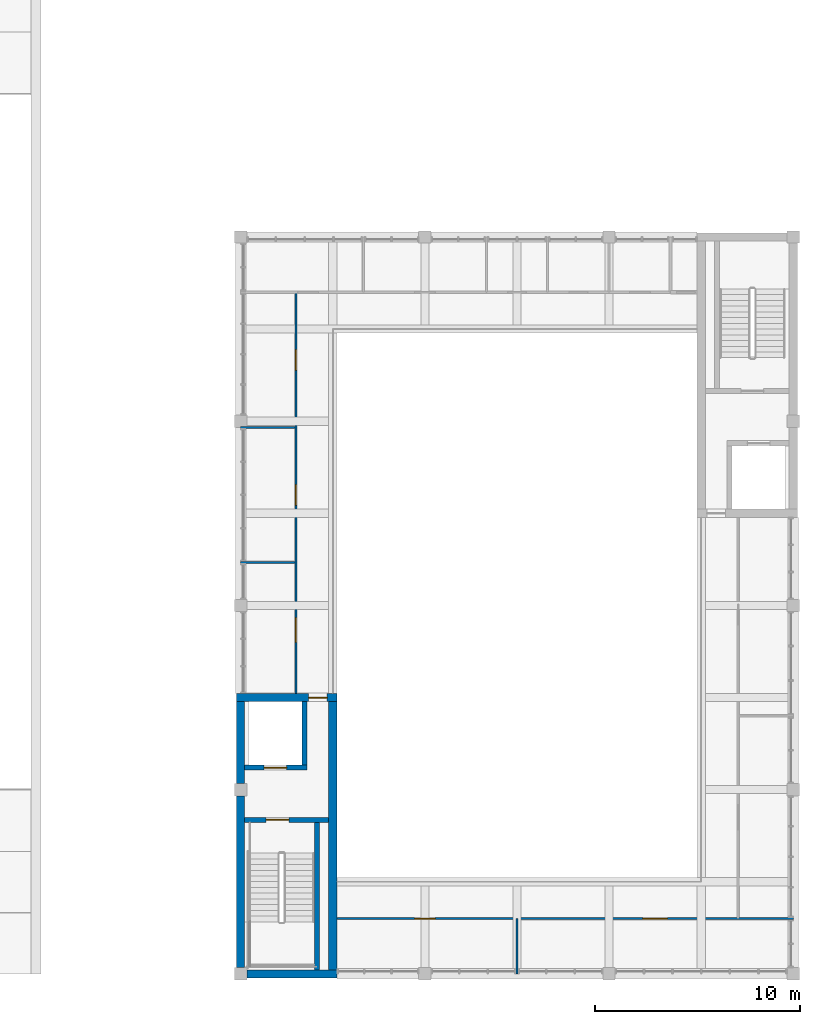
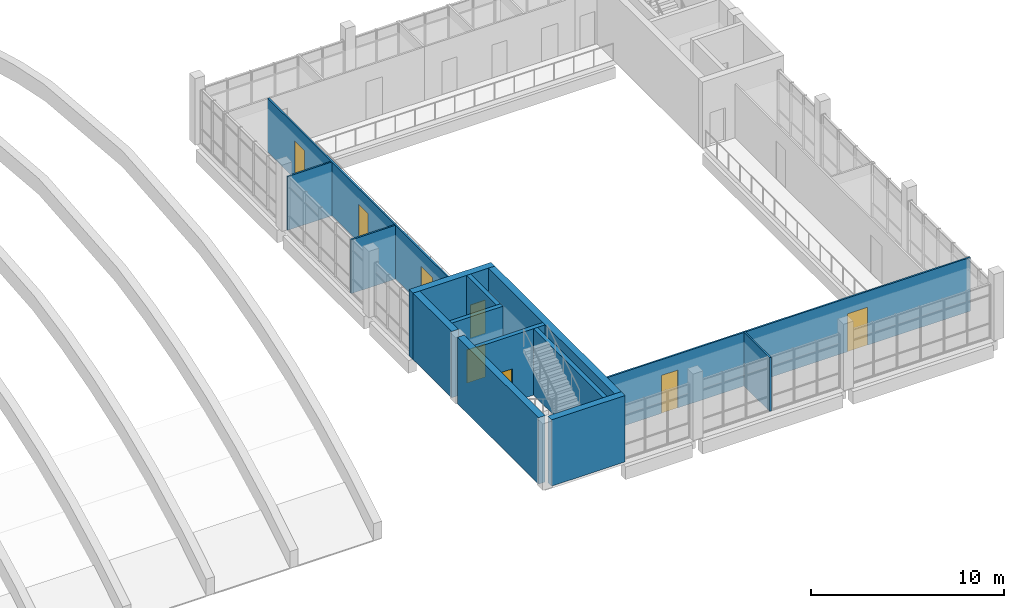
# One storey, part 49 of 88: 14 walls, 8 doors, 8 openings.
"""IFC4 building model written with IfcOpenShell, lengths in metres."""

from ifc_helpers import new_model, si_unit, direction, frame, frame_2d, origin, place, context, subcontext, project, spatial, rectangle, extrude, material, layer, layer_set, type_object, element, fill, save


model = new_model("IFC4")

# Units and contexts
model_context = context("Model", 3, precision=1e-05, world=origin(), true_north=direction((0.0, 1.0)))
body_context = subcontext(model_context, "Body", "Model", "MODEL_VIEW")
ifc_project = project(units=[si_unit("LENGTHUNIT", "METRE"), si_unit("AREAUNIT", "SQUARE_METRE"), si_unit("VOLUMEUNIT", "CUBIC_METRE"), si_unit("PLANEANGLEUNIT", "RADIAN"), si_unit("MASSUNIT", "GRAM", prefix="KILO")], contexts=[model_context])

# Site, building, storey
site_placement = place(None, origin())
site = spatial("IfcSite", under=ifc_project, at=site_placement, CompositionType="ELEMENT")
building_placement = place(site_placement, origin())
building = spatial("IfcBuilding", under=site, at=building_placement, Name="Merrow Basin Faculty of Sciences", CompositionType="ELEMENT")
storey_placement = place(building_placement, frame((0.0, 0.0, 9.0)))
storey = spatial("IfcBuildingStorey", under=building, at=storey_placement, Name="L02", CompositionType="ELEMENT", Elevation=9.0)

# Wall, openings, doors
ifc_material_1 = material(Name="Gypsum board")
ifc_layer_1 = layer(ifc_material_1, 0.10009765625)
ifc_layer_set_1 = layer_set([ifc_layer_1], Name="Partition 100 gypsum board on steel studs")
wall_type_1 = type_object("IfcWallType", Name="Partition 100 gypsum board on steel studs", PredefinedType="PARTITIONING", material=ifc_layer_set_1)
wall_1_placement = place(storey_placement, frame((47.699951171875, 13.699951171875, 0.0), z_axis=(0.0, 0.0, 1.0), x_axis=(0.0, 1.0, 0.0)))
wall_1 = element("IfcWall", 1, at=wall_1_placement, inside=storey, type_object=wall_type_1, Name="IW100 L02 007", PredefinedType="PARTITIONING", context=body_context, shape_type="SweptSolid", body=[
    extrude(rectangle(XDim=19.60009765625, YDim=0.10009765625, at=frame_2d((9.800048828125, 0.0))), origin(), (0.0, 0.0, 1.0), 3.39990234375),
])
opening_1_placement = place(wall_1_placement, frame((2.5, 0.0, 0.0)))
opening_1 = element("IfcOpeningElement", 2, at=opening_1_placement, cuts=wall_1, Name="Opening D02A015", PredefinedType="OPENING", context=body_context, shape_type="SweptSolid", body=[
    extrude(rectangle(XDim=1.199951171875, YDim=2.39990234375, at=frame_2d((0.60009765625, 1.199951171875))), frame((0.0, 0.06005859375, 0.0), z_axis=(0.0, -1.0, 0.0), x_axis=(1.0, 0.0, 0.0)), (0.0, 0.0, 1.0), 0.1201171875),
])
opening_2_placement = place(wall_1_placement, frame((9.199951171875, 0.0, 0.0)))
opening_2 = element("IfcOpeningElement", 3, at=opening_2_placement, cuts=wall_1, Name="Opening D02A016", PredefinedType="OPENING", context=body_context, shape_type="SweptSolid", body=[
    extrude(rectangle(XDim=1.0, YDim=2.39990234375, at=frame_2d((0.5, 1.199951171875))), frame((0.0, 0.06005859375, 0.0), z_axis=(0.0, -1.0, 0.0), x_axis=(1.0, 0.0, 0.0)), (0.0, 0.0, 1.0), 0.1201171875),
])
opening_3_placement = place(wall_1_placement, frame((15.800048828125, 0.0, 0.0)))
opening_3 = element("IfcOpeningElement", 4, at=opening_3_placement, cuts=wall_1, Name="Opening D02A017", PredefinedType="OPENING", context=body_context, shape_type="SweptSolid", body=[
    extrude(rectangle(XDim=1.0, YDim=2.39990234375, at=frame_2d((0.5, 1.199951171875))), frame((0.0, 0.06005859375, 0.0), z_axis=(0.0, -1.0, 0.0), x_axis=(1.0, 0.0, 0.0)), (0.0, 0.0, 1.0), 0.1201171875),
])
ifc_material_2 = material(Name="Glazed aluminium door", Category="aluminium")
door_type_1 = type_object("IfcDoorType", Name="Glazed single door 1000 x 2400", OperationType="NOTDEFINED", PredefinedType="DOOR", material=ifc_material_2)
door_1_placement = place(opening_2_placement, origin())
door_1 = element("IfcDoor", 5, at=door_1_placement, inside=storey, type_object=door_type_1, Name="Door D02A016", OperationType="SINGLE_SWING_LEFT", OverallHeight=2.39990234375, OverallWidth=1.0, PredefinedType="DOOR", context=body_context, shape_type="SweptSolid", body=[
    extrude(rectangle(XDim=1.0, YDim=2.39990234375, at=frame_2d((0.5, 1.199951171875))), frame((0.0, 0.02490234375, 0.0), z_axis=(0.0, -1.0, 0.0), x_axis=(1.0, 0.0, 0.0)), (0.0, 0.0, 1.0), 0.050048828125),
])
fill(opening_2, door_1)
door_2_placement = place(opening_3_placement, origin())
door_2 = element("IfcDoor", 6, at=door_2_placement, inside=storey, type_object=door_type_1, Name="Door D02A017", OperationType="SINGLE_SWING_LEFT", OverallHeight=2.39990234375, OverallWidth=1.0, PredefinedType="DOOR", context=body_context, shape_type="SweptSolid", body=[
    extrude(rectangle(XDim=1.0, YDim=2.39990234375, at=frame_2d((0.5, 1.199951171875))), frame((0.0, 0.02490234375, 0.0), z_axis=(0.0, -1.0, 0.0), x_axis=(1.0, 0.0, 0.0)), (0.0, 0.0, 1.0), 0.050048828125),
])
fill(opening_3, door_2)
ifc_material_3 = material(Name="Glazed aluminium door", Category="aluminium")
door_type_2 = type_object("IfcDoorType", Name="Glazed single door 1200 x 2400", OperationType="NOTDEFINED", PredefinedType="DOOR", material=ifc_material_3)
door_3_placement = place(opening_1_placement, origin())
door_3 = element("IfcDoor", 7, at=door_3_placement, inside=storey, type_object=door_type_2, Name="Door D02A015", OperationType="SINGLE_SWING_LEFT", OverallHeight=2.39990234375, OverallWidth=1.199951171875, PredefinedType="DOOR", context=body_context, shape_type="SweptSolid", body=[
    extrude(rectangle(XDim=1.199951171875, YDim=2.39990234375, at=frame_2d((0.60009765625, 1.199951171875))), frame((0.0, 0.02490234375, 0.0), z_axis=(0.0, -1.0, 0.0), x_axis=(1.0, 0.0, 0.0)), (0.0, 0.0, 1.0), 0.050048828125),
])
fill(opening_1, door_3)

# Wall
wall_2_placement = place(storey_placement, frame((58.5, 0.0, 0.0), z_axis=(0.0, 0.0, 1.0), x_axis=(0.0, 1.0, 0.0)))
element("IfcWall", 8, at=wall_2_placement, inside=storey, type_object=wall_type_1, Name="IW100 L02 009", PredefinedType="PARTITIONING", context=body_context, shape_type="SweptSolid", body=[
    extrude(rectangle(XDim=2.699951171875, YDim=0.10009765625, at=frame_2d((1.35009765625, 0.0))), origin(), (0.0, 0.0, 1.0), 3.39990234375),
])

# Wall, openings, doors
wall_3_placement = place(storey_placement, frame((49.699951171875, 2.699951171875, 0.0), z_axis=(0.0, 0.0, 1.0), x_axis=(1.0, 0.0, 0.0)))
wall_3 = element("IfcWall", 9, at=wall_3_placement, inside=storey, type_object=wall_type_1, Name="IW100 L02 011", PredefinedType="PARTITIONING", context=body_context, shape_type="SweptSolid", body=[
    extrude(rectangle(XDim=22.300048828125, YDim=0.10009765625, at=frame_2d((11.14990234375, 0.0))), origin(), (0.0, 0.0, 1.0), 3.39990234375),
])
opening_4_placement = place(wall_3_placement, frame((3.800048828125, 0.0, 0.0)))
opening_4 = element("IfcOpeningElement", 10, at=opening_4_placement, cuts=wall_3, Name="Opening D02A005", PredefinedType="OPENING", context=body_context, shape_type="SweptSolid", body=[
    extrude(rectangle(XDim=1.0, YDim=2.39990234375, at=frame_2d((0.5, 1.199951171875))), frame((0.0, 0.06005859375, 0.0), z_axis=(0.0, -1.0, 0.0), x_axis=(1.0, 0.0, 0.0)), (0.0, 0.0, 1.0), 0.1201171875),
])
opening_5_placement = place(wall_3_placement, frame((14.949951171875, 0.0, 0.0)))
opening_5 = element("IfcOpeningElement", 11, at=opening_5_placement, cuts=wall_3, Name="Opening D02A006", PredefinedType="OPENING", context=body_context, shape_type="SweptSolid", body=[
    extrude(rectangle(XDim=1.199951171875, YDim=2.39990234375, at=frame_2d((0.60009765625, 1.199951171875))), frame((0.0, 0.06005859375, 0.0), z_axis=(0.0, -1.0, 0.0), x_axis=(1.0, 0.0, 0.0)), (0.0, 0.0, 1.0), 0.1201171875),
])
door_4_placement = place(opening_4_placement, origin())
door_4 = element("IfcDoor", 12, at=door_4_placement, inside=storey, type_object=door_type_1, Name="Door D02A005", OperationType="SINGLE_SWING_LEFT", OverallHeight=2.39990234375, OverallWidth=1.0, PredefinedType="DOOR", context=body_context, shape_type="SweptSolid", body=[
    extrude(rectangle(XDim=1.0, YDim=2.39990234375, at=frame_2d((0.5, 1.199951171875))), frame((0.0, 0.02490234375, 0.0), z_axis=(0.0, -1.0, 0.0), x_axis=(1.0, 0.0, 0.0)), (0.0, 0.0, 1.0), 0.050048828125),
])
fill(opening_4, door_4)
door_5_placement = place(opening_5_placement, origin())
door_5 = element("IfcDoor", 13, at=door_5_placement, inside=storey, type_object=door_type_2, Name="Door D02A006", OperationType="SINGLE_SWING_LEFT", OverallHeight=2.39990234375, OverallWidth=1.199951171875, PredefinedType="DOOR", context=body_context, shape_type="SweptSolid", body=[
    extrude(rectangle(XDim=1.199951171875, YDim=2.39990234375, at=frame_2d((0.60009765625, 1.199951171875))), frame((0.0, 0.02490234375, 0.0), z_axis=(0.0, -1.0, 0.0), x_axis=(1.0, 0.0, 0.0)), (0.0, 0.0, 1.0), 0.050048828125),
])
fill(opening_5, door_5)

# Walls
for number, where, z_axis, x_axis, name in (
    (14, (45.0, 20.10009765625, 0.0), (0.0, 0.0, 1.0), (1.0, 0.0, 0.0), "IW100 L02 013"),
    (15, (45.0, 26.699951171875, 0.0), (0.0, 0.0, 1.0), (1.0, 0.0, 0.0), "IW100 L02 014"),
):
    element("IfcWall", number, at=place(storey_placement, frame(where, z_axis=z_axis, x_axis=x_axis)), inside=storey, type_object=wall_type_1, Name=name, PredefinedType="PARTITIONING", context=body_context, shape_type="SweptSolid", body=[
        extrude(rectangle(XDim=2.64990234375, YDim=0.10009765625, at=frame_2d((1.324951171875, 0.0))), origin(), (0.0, 0.0, 1.0), 3.39990234375),
    ])

# Wall, opening, door
ifc_material_4 = material(Name="Concrete C40/50", Category="concrete")
ifc_layer_2 = layer(ifc_material_4, 0.25)
ifc_layer_set_2 = layer_set([ifc_layer_2], Name="Shear wall 250 Concrete C40/50")
wall_type_2 = type_object("IfcWallType", Name="Shear wall 250 Concrete C40/50", PredefinedType="SHEAR", material=ifc_layer_set_2)
wall_4_placement = place(storey_placement, frame((45.199951171875, 7.52490234375, 0.0), z_axis=(0.0, 0.0, 1.0), x_axis=(1.0, 0.0, 0.0)))
wall_4 = element("IfcWall", 16, at=wall_4_placement, inside=storey, type_object=wall_type_2, Name="SW2 L02 006", PredefinedType="SHEAR", context=body_context, shape_type="SweptSolid", body=[
    extrude(rectangle(XDim=4.10009765625, YDim=0.25, at=frame_2d((2.050048828125, 0.0))), origin(), (0.0, 0.0, 1.0), 4.199951171875),
])
opening_6_placement = place(wall_4_placement, frame((1.050048828125, 0.0, 0.0)))
opening_6 = element("IfcOpeningElement", 17, at=opening_6_placement, cuts=wall_4, Name="Opening D02A001", PredefinedType="OPENING", context=body_context, shape_type="SweptSolid", body=[
    extrude(rectangle(XDim=1.10009765625, YDim=2.10009765625, at=frame_2d((0.550048828125, 1.050048828125))), frame((0.0, 0.135009765625, 0.0), z_axis=(0.0, -1.0, 0.0), x_axis=(1.0, 0.0, 0.0)), (0.0, 0.0, 1.0), 0.27001953125),
])
ifc_material_5 = material(Name="Fire-rated steel door", Category="steel")
door_type_3 = type_object("IfcDoorType", Name="Fire door FD90 1100 x 2100", OperationType="NOTDEFINED", PredefinedType="DOOR", material=ifc_material_5)
door_6_placement = place(opening_6_placement, origin())
door_6 = element("IfcDoor", 18, at=door_6_placement, inside=storey, type_object=door_type_3, Name="Door D02A001", OperationType="SINGLE_SWING_LEFT", OverallHeight=2.10009765625, OverallWidth=1.10009765625, PredefinedType="DOOR", context=body_context, shape_type="SweptSolid", body=[
    extrude(rectangle(XDim=1.10009765625, YDim=2.10009765625, at=frame_2d((0.550048828125, 1.050048828125))), frame((0.0, 0.02490234375, 0.0), z_axis=(0.0, -1.0, 0.0), x_axis=(1.0, 0.0, 0.0)), (0.0, 0.0, 1.0), 0.050048828125),
])
fill(opening_6, door_6)

# Wall
wall_5_placement = place(storey_placement, frame((48.72509765625, 0.199951171875, 0.0), z_axis=(0.0, 0.0, 1.0), x_axis=(0.0, 1.0, 0.0)))
element("IfcWall", 19, at=wall_5_placement, inside=storey, type_object=wall_type_2, Name="SW2 L02 007", PredefinedType="SHEAR", context=body_context, shape_type="SweptSolid", body=[
    extrude(rectangle(XDim=7.199951171875, YDim=0.25, at=frame_2d((3.60009765625, 0.0))), origin(), (0.0, 0.0, 1.0), 4.199951171875),
])

# Wall, opening, door
wall_6_placement = place(storey_placement, frame((45.199951171875, 10.074951171875, 0.0), z_axis=(0.0, 0.0, 1.0), x_axis=(1.0, 0.0, 0.0)))
wall_6 = element("IfcWall", 20, at=wall_6_placement, inside=storey, type_object=wall_type_2, Name="SW2 L02 008", PredefinedType="SHEAR", context=body_context, shape_type="SweptSolid", body=[
    extrude(rectangle(XDim=3.050048828125, YDim=0.25, at=frame_2d((1.52490234375, 0.0))), origin(), (0.0, 0.0, 1.0), 4.199951171875),
])
opening_7_placement = place(wall_6_placement, frame((0.949951171875, 0.0, 0.0)))
opening_7 = element("IfcOpeningElement", 21, at=opening_7_placement, cuts=wall_6, Name="Opening LD02A01", PredefinedType="OPENING", context=body_context, shape_type="SweptSolid", body=[
    extrude(rectangle(XDim=1.10009765625, YDim=2.10009765625, at=frame_2d((0.550048828125, 1.050048828125))), frame((0.0, 0.135009765625, 0.0), z_axis=(0.0, -1.0, 0.0), x_axis=(1.0, 0.0, 0.0)), (0.0, 0.0, 1.0), 0.27001953125),
])
ifc_material_6 = material(Name="Stainless steel sliding door", Category="steel")
door_type_4 = type_object("IfcDoorType", Name="Lift landing door 1100 x 2100 sliding", OperationType="NOTDEFINED", PredefinedType="DOOR", material=ifc_material_6)
door_7_placement = place(opening_7_placement, origin())
door_7 = element("IfcDoor", 22, at=door_7_placement, inside=storey, type_object=door_type_4, Name="Landing door LF9 L02", OperationType="SLIDING_TO_LEFT", OverallHeight=2.10009765625, OverallWidth=1.10009765625, PredefinedType="DOOR", context=body_context, shape_type="SweptSolid", body=[
    extrude(rectangle(XDim=1.10009765625, YDim=2.10009765625, at=frame_2d((0.550048828125, 1.050048828125))), frame((0.0, 0.02490234375, 0.0), z_axis=(0.0, -1.0, 0.0), x_axis=(1.0, 0.0, 0.0)), (0.0, 0.0, 1.0), 0.050048828125),
])
fill(opening_7, door_7)

# Walls
wall_7_placement = place(storey_placement, frame((48.125, 10.199951171875, 0.0), z_axis=(0.0, 0.0, 1.0), x_axis=(0.0, 1.0, 0.0)))
element("IfcWall", 23, at=wall_7_placement, inside=storey, type_object=wall_type_2, Name="SW2 L02 009", PredefinedType="SHEAR", context=body_context, shape_type="SweptSolid", body=[
    extrude(rectangle(XDim=3.10009765625, YDim=0.25, at=frame_2d((1.550048828125, 0.0))), origin(), (0.0, 0.0, 1.0), 4.199951171875),
])
ifc_material_7 = material(Name="Concrete C40/50", Category="concrete")
ifc_layer_3 = layer(ifc_material_7, 0.39990234375)
ifc_layer_set_3 = layer_set([ifc_layer_3], Name="Shear wall 400 Concrete C40/50")
wall_type_3 = type_object("IfcWallType", Name="Shear wall 400 Concrete C40/50", PredefinedType="SHEAR", material=ifc_layer_set_3)
wall_8_placement = place(storey_placement, frame((45.300048828125, 0.0, 0.0), z_axis=(0.0, 0.0, 1.0), x_axis=(1.0, 0.0, 0.0)))
element("IfcWall", 24, at=wall_8_placement, inside=storey, type_object=wall_type_3, Name="SW1 L02 001", PredefinedType="SHEAR", context=body_context, shape_type="SweptSolid", body=[
    extrude(rectangle(XDim=4.39990234375, YDim=0.39990234375, at=frame_2d((2.199951171875, 0.0))), origin(), (0.0, 0.0, 1.0), 4.199951171875),
])

# Wall, opening, door
wall_9_placement = place(storey_placement, frame((44.800048828125, 13.5, 0.0), z_axis=(0.0, 0.0, 1.0), x_axis=(1.0, 0.0, 0.0)))
wall_9 = element("IfcWall", 25, at=wall_9_placement, inside=storey, type_object=wall_type_3, Name="SW1 L02 002", PredefinedType="SHEAR", context=body_context, shape_type="SweptSolid", body=[
    extrude(rectangle(XDim=4.89990234375, YDim=0.39990234375, at=frame_2d((2.449951171875, 0.0))), origin(), (0.0, 0.0, 1.0), 4.199951171875),
])
opening_8_placement = place(wall_9_placement, frame((3.52490234375, 0.0, 0.0)))
opening_8 = element("IfcOpeningElement", 26, at=opening_8_placement, cuts=wall_9, Name="Opening D02A002", PredefinedType="OPENING", context=body_context, shape_type="SweptSolid", body=[
    extrude(rectangle(XDim=0.89990234375, YDim=2.10009765625, at=frame_2d((0.449951171875, 1.050048828125))), frame((0.0, 0.2099609375, 0.0), z_axis=(0.0, -1.0, 0.0), x_axis=(1.0, 0.0, 0.0)), (0.0, 0.0, 1.0), 0.419921875),
])
ifc_material_8 = material(Name="Fire-rated steel door", Category="steel")
door_type_5 = type_object("IfcDoorType", Name="Fire door FD60 900 x 2100", OperationType="NOTDEFINED", PredefinedType="DOOR", material=ifc_material_8)
door_8_placement = place(opening_8_placement, origin())
door_8 = element("IfcDoor", 27, at=door_8_placement, inside=storey, type_object=door_type_5, Name="Door D02A002", OperationType="SINGLE_SWING_RIGHT", OverallHeight=2.10009765625, OverallWidth=0.89990234375, PredefinedType="DOOR", context=body_context, shape_type="SweptSolid", body=[
    extrude(rectangle(XDim=0.89990234375, YDim=2.10009765625, at=frame_2d((0.449951171875, 1.050048828125))), frame((0.0, 0.02490234375, 0.0), z_axis=(0.0, -1.0, 0.0), x_axis=(1.0, 0.0, 0.0)), (0.0, 0.0, 1.0), 0.050048828125),
])
fill(opening_8, door_8)

# Walls
wall_10_placement = place(storey_placement, frame((45.0, 0.300048828125, 0.0), z_axis=(0.0, 0.0, 1.0), x_axis=(0.0, 1.0, 0.0)))
element("IfcWall", 28, at=wall_10_placement, inside=storey, type_object=wall_type_3, Name="SW1 L02 003", PredefinedType="SHEAR", context=body_context, shape_type="SweptSolid", body=[
    extrude(rectangle(XDim=8.39990234375, YDim=0.39990234375, at=frame_2d((4.199951171875, 0.0))), origin(), (0.0, 0.0, 1.0), 4.199951171875),
])
wall_11_placement = place(storey_placement, frame((45.0, 9.300048828125, 0.0), z_axis=(0.0, 0.0, 1.0), x_axis=(0.0, 1.0, 0.0)))
element("IfcWall", 29, at=wall_11_placement, inside=storey, type_object=wall_type_3, Name="SW1 L02 004", PredefinedType="SHEAR", context=body_context, shape_type="SweptSolid", body=[
    extrude(rectangle(XDim=4.0, YDim=0.39990234375, at=frame_2d((2.0, 0.0))), origin(), (0.0, 0.0, 1.0), 4.199951171875),
])
wall_12_placement = place(storey_placement, frame((49.5, 0.199951171875, 0.0), z_axis=(0.0, 0.0, 1.0), x_axis=(0.0, 1.0, 0.0)))
element("IfcWall", 30, at=wall_12_placement, inside=storey, type_object=wall_type_3, Name="SW1 L02 005", PredefinedType="SHEAR", context=body_context, shape_type="SweptSolid", body=[
    extrude(rectangle(XDim=13.10009765625, YDim=0.39990234375, at=frame_2d((6.550048828125, 0.0))), origin(), (0.0, 0.0, 1.0), 4.199951171875),
])

save(model, "model.ifc")
